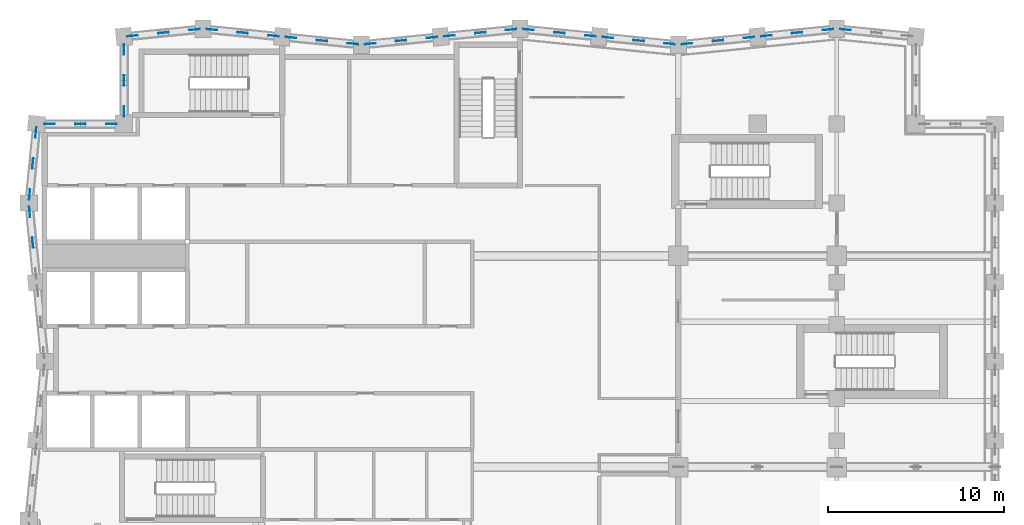
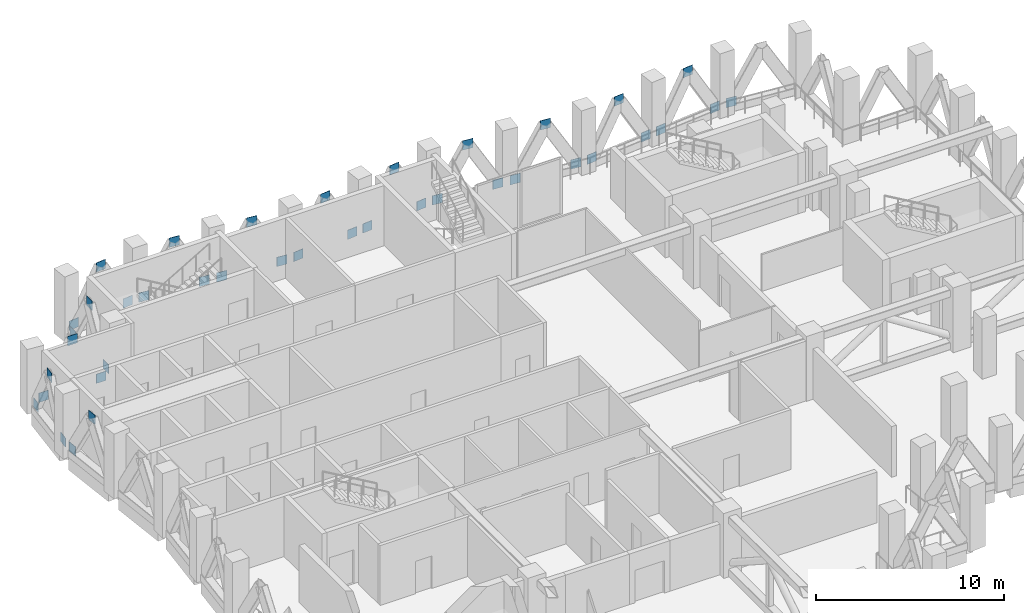
# One storey, part 14 of 18: 39 discrete accessories.
"""IFC4 building model written with IfcOpenShell, lengths in metres."""

from ifc_helpers import new_model, si_unit, direction, frame, origin, origin_2d, place, context, subcontext, project, spatial, rectangle, extrude, material, layer, layer_set, type_object, element, save


model = new_model("IFC4")

# Units and contexts
model_context = context("Model", 3, precision=1e-05, world=origin(), true_north=direction((0.0, 1.0)))
body_context = subcontext(model_context, "Body", "Model", "MODEL_VIEW")
ifc_project = project(units=[si_unit("LENGTHUNIT", "METRE"), si_unit("AREAUNIT", "SQUARE_METRE"), si_unit("VOLUMEUNIT", "CUBIC_METRE"), si_unit("PLANEANGLEUNIT", "RADIAN"), si_unit("MASSUNIT", "GRAM", prefix="KILO")], contexts=[model_context])

# Site, building, storey
site_placement = place(None, origin())
site = spatial("IfcSite", under=ifc_project, at=site_placement, CompositionType="ELEMENT")
building_placement = place(site_placement, origin())
building = spatial("IfcBuilding", under=site, at=building_placement, Name="Brondeck Convention Tower", CompositionType="ELEMENT")
storey_placement = place(building_placement, frame((0.0, 0.0, 248.199951171875)))
storey = spatial("IfcBuildingStorey", under=building, at=storey_placement, Name="L61", CompositionType="ELEMENT", Elevation=248.199951171875)

# Discrete accessories
ifc_material = material(Name="Steel S460", Category="steel")
ifc_layer = layer(ifc_material, 0.02490234375)
ifc_layer_set = layer_set([ifc_layer], Name="Gusset plate 600x600x25 Steel S460")
discrete_accessory_type = type_object("IfcDiscreteAccessoryType", Name="Gusset plate 600x600x25 Steel S460", PredefinedType="BRACKET", material=ifc_layer_set)
for number, where, z_axis, x_axis, name in (
    (1, (45.497802734375, 63.85009765625, 0.199951171875), (0.0, 0.0, 1.0), (-0.9950364836, 0.099510784867, 0.0), "Gusset plate GP-728"),
    (2, (44.502197265625, 63.85009765625, 0.199951171875), (0.0, 0.0, 1.0), (0.9950364836, 0.099510784867, 0.0), "Gusset plate GP-729"),
    (3, (42.75, 63.675048828125, 3.25), (0.0, 0.0, 1.0), (0.9950364836, 0.099510784867, 0.0), "Gusset plate GP-730"),
    (4, (40.997802734375, 63.499755859375, 0.199951171875), (0.0, 0.0, 1.0), (0.9950364836, 0.099510784867, 0.0), "Gusset plate GP-731"),
    (5, (40.002197265625, 63.400146484375, 0.199951171875), (0.0, 0.0, 1.0), (0.9950364836, 0.099510784867, 0.0), "Gusset plate GP-732"),
    (6, (38.25, 63.22509765625, 3.25), (0.0, 0.0, 1.0), (0.9950364836, 0.099510784867, 0.0), "Gusset plate GP-733"),
    (7, (36.497802734375, 63.0498046875, 0.199951171875), (0.0, 0.0, 1.0), (0.9950364836, 0.099510784867, 0.0), "Gusset plate GP-734"),
    (8, (35.502197265625, 63.0498046875, 0.199951171875), (0.0, 0.0, 1.0), (-0.9950364836, 0.099510784867, 0.0), "Gusset plate GP-735"),
    (9, (33.75, 63.22509765625, 3.25), (0.0, 0.0, 1.0), (-0.9950364836, 0.099510784867, 0.0), "Gusset plate GP-736"),
    (10, (31.997802734375, 63.400146484375, 0.199951171875), (0.0, 0.0, 1.0), (-0.9950364836, 0.099510784867, 0.0), "Gusset plate GP-737"),
    (11, (31.002197265625, 63.499755859375, 0.199951171875), (0.0, 0.0, 1.0), (-0.9950364836, 0.099510784867, 0.0), "Gusset plate GP-738"),
    (12, (29.25, 63.675048828125, 3.25), (0.0, 0.0, 1.0), (-0.9950364836, 0.099510784867, 0.0), "Gusset plate GP-739"),
    (13, (27.497802734375, 63.85009765625, 0.199951171875), (0.0, 0.0, 1.0), (-0.9950364836, 0.099510784867, 0.0), "Gusset plate GP-740"),
    (14, (26.502197265625, 63.85009765625, 0.199951171875), (0.0, 0.0, 1.0), (0.9950364836, 0.099510784867, 0.0), "Gusset plate GP-741"),
    (15, (24.75, 63.675048828125, 3.25), (0.0, 0.0, 1.0), (0.9950364836, 0.099510784867, 0.0), "Gusset plate GP-742"),
    (16, (22.997802734375, 63.499755859375, 0.199951171875), (0.0, 0.0, 1.0), (0.9950364836, 0.099510784867, 0.0), "Gusset plate GP-743"),
    (17, (22.002197265625, 63.400146484375, 0.199951171875), (0.0, 0.0, 1.0), (0.9950364836, 0.099510784867, 0.0), "Gusset plate GP-744"),
    (18, (20.25, 63.22509765625, 3.25), (0.0, 0.0, 1.0), (0.9950364836, 0.099510784867, 0.0), "Gusset plate GP-745"),
    (19, (18.497802734375, 63.0498046875, 0.199951171875), (0.0, 0.0, 1.0), (0.9950364836, 0.099510784867, 0.0), "Gusset plate GP-746"),
    (20, (17.502197265625, 63.0498046875, 0.199951171875), (0.0, 0.0, 1.0), (-0.9950364836, 0.099510784867, 0.0), "Gusset plate GP-747"),
    (21, (15.75, 63.22509765625, 3.25), (0.0, 0.0, 1.0), (-0.9950364836, 0.099510784867, 0.0), "Gusset plate GP-748"),
    (22, (13.997802734375, 63.400146484375, 0.199951171875), (0.0, 0.0, 1.0), (-0.9950364836, 0.099510784867, 0.0), "Gusset plate GP-749"),
    (23, (13.002197265625, 63.499755859375, 0.199951171875), (0.0, 0.0, 1.0), (-0.9950364836, 0.099510784867, 0.0), "Gusset plate GP-750"),
    (24, (11.25, 63.675048828125, 3.25), (0.0, 0.0, 1.0), (-0.9950364836, 0.099510784867, 0.0), "Gusset plate GP-751"),
    (25, (9.497802734375, 63.85009765625, 0.199951171875), (0.0, 0.0, 1.0), (-0.9950364836, 0.099510784867, 0.0), "Gusset plate GP-752"),
    (26, (8.502197265625, 63.85009765625, 0.199951171875), (0.0, 0.0, 1.0), (0.9950364836, 0.099510784867, 0.0), "Gusset plate GP-753"),
    (27, (6.75, 63.675048828125, 3.25), (0.0, 0.0, 1.0), (0.9950364836, 0.099510784867, 0.0), "Gusset plate GP-754"),
    (28, (4.997802734375, 63.499755859375, 0.199951171875), (0.0, 0.0, 1.0), (0.9950364836, 0.099510784867, 0.0), "Gusset plate GP-755"),
    (29, (4.5, 62.73583984375, 0.199951171875), (0.0, 0.0, 1.0), (0.0, 1.0, 0.0), "Gusset plate GP-756"),
    (30, (4.5, 60.97509765625, 3.25), (0.0, 0.0, 1.0), (0.0, 1.0, 0.0), "Gusset plate GP-757"),
    (31, (4.5, 59.214111328125, 0.199951171875), (0.0, 0.0, 1.0), (0.0, 1.0, 0.0), "Gusset plate GP-758"),
    (32, (3.785888671875, 58.5, 0.199951171875), (0.0, 0.0, 1.0), (1.0, 0.0, 0.0), "Gusset plate GP-759"),
    (33, (2.02490234375, 58.5, 3.25), (0.0, 0.0, 1.0), (1.0, 0.0, 0.0), "Gusset plate GP-760"),
    (34, (0.26416015625, 58.5, 0.199951171875), (0.0, 0.0, 1.0), (1.0, 0.0, 0.0), "Gusset plate GP-761"),
    (35, (-0.499755859375, 58.002197265625, 0.199951171875), (0.0, 0.0, 1.0), (0.099510784867, 0.9950364836, 0.0), "Gusset plate GP-762"),
    (36, (-0.675048828125, 56.25, 3.25), (0.0, 0.0, 1.0), (0.099510784867, 0.9950364836, 0.0), "Gusset plate GP-763"),
    (37, (-0.85009765625, 54.497802734375, 0.199951171875), (0.0, 0.0, 1.0), (0.099510784867, 0.9950364836, 0.0), "Gusset plate GP-764"),
    (38, (-0.85009765625, 53.502197265625, 0.199951171875), (0.0, 0.0, 1.0), (-0.099510784867, 0.9950364836, 0.0), "Gusset plate GP-765"),
    (39, (-0.675048828125, 51.75, 3.25), (0.0, 0.0, 1.0), (-0.099510784867, 0.9950364836, 0.0), "Gusset plate GP-766"),
):
    element("IfcDiscreteAccessory", number, at=place(storey_placement, frame(where, z_axis=z_axis, x_axis=x_axis)), inside=storey, type_object=discrete_accessory_type, Name=name, PredefinedType="BRACKET", context=body_context, shape_type="SweptSolid", body=[
        extrude(rectangle(XDim=0.60009765625, YDim=0.02490234375, at=origin_2d()), origin(), (0.0, 0.0, 1.0), 0.60009765625),
    ])

save(model, "model.ifc")
